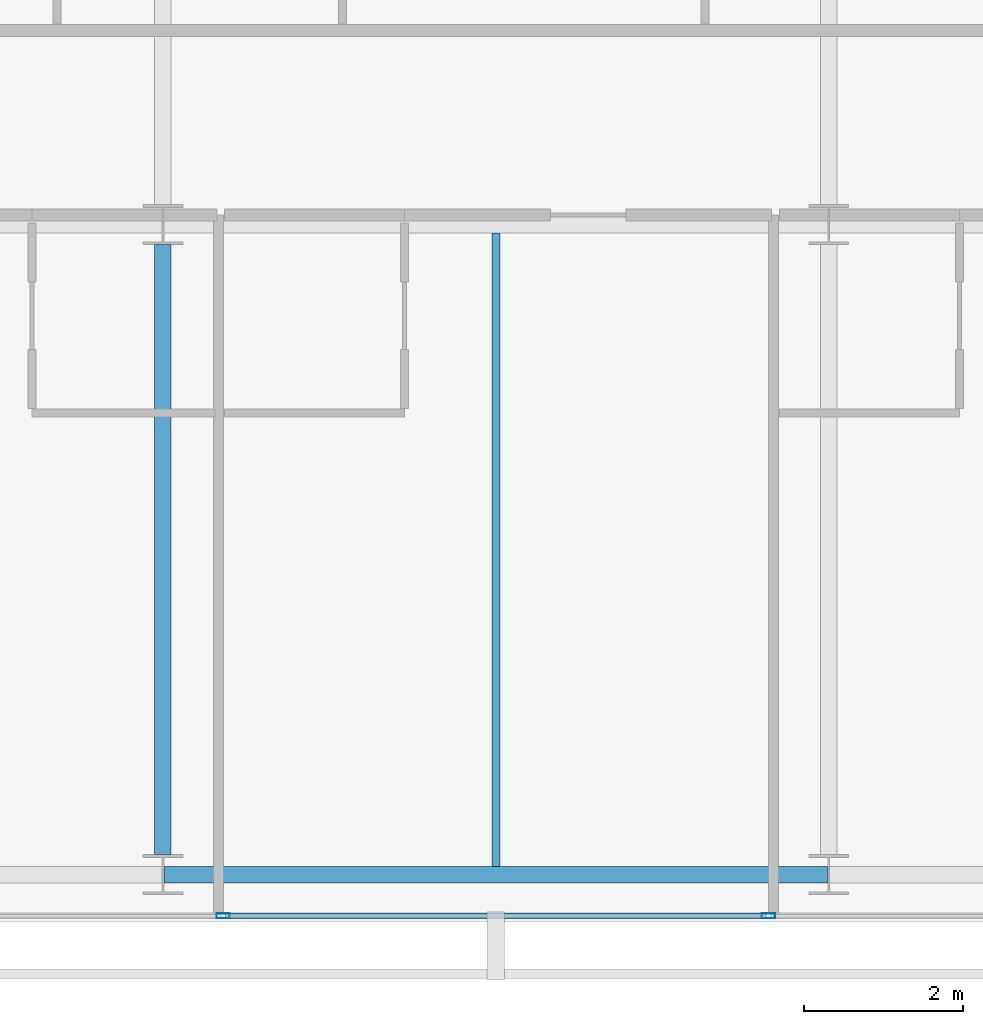
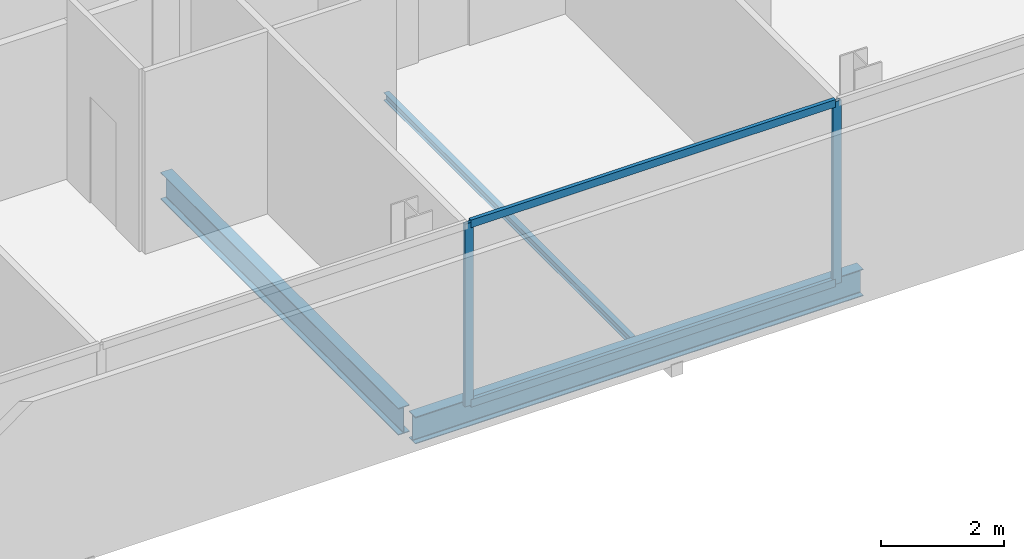
# One storey, part 6 of 25: 4 members, 3 beams, 1 element without a shape of its own.
"""IFC4 building model written with IfcOpenShell, lengths in metres."""

from ifc_helpers import new_model, si_unit, direction, frame, origin, origin_2d, place, context, subcontext, project, spatial, hollow_rectangle, i_section, extrude, material, layer, layer_set, material_profile, profile_set, type_object, element, aggregate, save


model = new_model("IFC4")

# Units and contexts
model_context = context("Model", 3, precision=1e-05, world=origin(), true_north=direction((0.0, 1.0)))
body_context = subcontext(model_context, "Body", "Model", "MODEL_VIEW")
ifc_project = project(units=[si_unit("LENGTHUNIT", "METRE"), si_unit("AREAUNIT", "SQUARE_METRE"), si_unit("VOLUMEUNIT", "CUBIC_METRE"), si_unit("PLANEANGLEUNIT", "RADIAN"), si_unit("MASSUNIT", "GRAM", prefix="KILO")], contexts=[model_context])

# Site, building, storey
site_placement = place(None, origin())
site = spatial("IfcSite", under=ifc_project, at=site_placement, CompositionType="ELEMENT")
building_placement = place(site_placement, origin())
building = spatial("IfcBuilding", under=site, at=building_placement, Name="Maruvema Waterfront Hotel and Observation Tower", CompositionType="ELEMENT")
storey_placement = place(building_placement, frame((0.0, 0.0, 262.5)))
storey = spatial("IfcBuildingStorey", under=building, at=storey_placement, Name="L64", CompositionType="ELEMENT", Elevation=262.5)

# Curtain wall, members
ifc_material_1 = material(Name="Anodised bronze aluminium and solar-control low-E IGU", Category="aluminium")
ifc_layer = layer(ifc_material_1, 0.159912109375, Name="Zone 3 Champagne Inner Thermal Curtain Wall System CW-04")
ifc_layer_set = layer_set([ifc_layer], Name="Anodised bronze aluminium and solar-control low-E IGU")
curtain_wall_type = type_object("IfcCurtainWallType", Name="Zone 3 Champagne Inner Thermal Curtain Wall System CW-04", PredefinedType="USERDEFINED", material=ifc_layer_set)
curtain_wall_placement = place(storey_placement, origin())
curtain_wall = element("IfcCurtainWall", 1, at=curtain_wall_placement, inside=storey, type_object=curtain_wall_type, Name="L64 Curtain Wall CW-L64-S", ObjectType="UNITISED CURTAIN WALL", PredefinedType="USERDEFINED")
ifc_material_2 = material(Name="Anodised architectural bronze aluminium", Category="aluminium")
ifc_material_profile_1 = material_profile(ifc_material_2, hollow_rectangle(XDim=0.070068359375, YDim=0.14990234375, WallThickness=0.00390625, at=origin_2d()), Name="ALU-T70x150")
ifc_profile_set_1 = profile_set([ifc_material_profile_1], Name="Anodised architectural bronze aluminium")
member_type_1 = type_object("IfcMemberType", Name="Curtain Wall Horizontal Transom ALU-T70x150", PredefinedType="USERDEFINED", material=ifc_profile_set_1)
member_1_placement = place(storey_placement, frame((34.389892578125, 9.280029296875, 0.030029296875), z_axis=(1.0, 0.0, 0.0), x_axis=(0.0, 1.0, 0.0)))
member_1 = element("IfcMember", 2, at=member_1_placement, type_object=member_type_1, Name="CW-04 transom 3.1", ObjectType="TRANSOM", PredefinedType="USERDEFINED", context=body_context, shape_type="SweptSolid", body=[
    extrude(hollow_rectangle(XDim=0.070068359375, YDim=0.14990234375, WallThickness=0.00390625, at=origin_2d()), origin(), (0.0, 0.0, 1.0), 6.820068359375),
])
member_2_placement = place(storey_placement, frame((34.389892578125, 9.280029296875, 3.580078125), z_axis=(1.0, 0.0, 0.0), x_axis=(0.0, 1.0, 0.0)))
member_2 = element("IfcMember", 3, at=member_2_placement, type_object=member_type_1, Name="CW-04 transom 3.2", ObjectType="TRANSOM", PredefinedType="USERDEFINED", context=body_context, shape_type="SweptSolid", body=[
    extrude(hollow_rectangle(XDim=0.070068359375, YDim=0.14990234375, WallThickness=0.00390625, at=origin_2d()), origin(), (0.0, 0.0, 1.0), 6.820068359375),
])
ifc_material_3 = material(Name="Anodised architectural bronze aluminium", Category="aluminium")
ifc_material_profile_2 = material_profile(ifc_material_3, hollow_rectangle(XDim=0.06494140625, YDim=0.1650390625, WallThickness=0.00390625, at=origin_2d()), Name="ALU-M65x165")
ifc_profile_set_2 = profile_set([ifc_material_profile_2], Name="Anodised architectural bronze aluminium")
member_type_2 = type_object("IfcMemberType", Name="Curtain Wall Primary Mullion ALU-M65x165", PredefinedType="MULLION", material=ifc_profile_set_2)
member_3_placement = place(storey_placement, frame((34.360107421875, 9.280029296875, 0.0), z_axis=(0.0, 0.0, 1.0), x_axis=(0.0, 1.0, 0.0)))
member_3 = element("IfcMember", 4, at=member_3_placement, type_object=member_type_2, Name="CW-04 mullion 3", PredefinedType="MULLION", context=body_context, shape_type="SweptSolid", body=[
    extrude(hollow_rectangle(XDim=0.06494140625, YDim=0.1650390625, WallThickness=0.00390625, at=origin_2d()), origin(), (0.0, 0.0, 1.0), 3.610107421875),
])
member_4_placement = place(storey_placement, frame((41.239990234375, 9.280029296875, 0.0), z_axis=(0.0, 0.0, 1.0), x_axis=(0.0, 1.0, 0.0)))
member_4 = element("IfcMember", 5, at=member_4_placement, type_object=member_type_2, Name="CW-04 mullion 4", PredefinedType="MULLION", context=body_context, shape_type="SweptSolid", body=[
    extrude(hollow_rectangle(XDim=0.06494140625, YDim=0.1650390625, WallThickness=0.00390625, at=origin_2d()), origin(), (0.0, 0.0, 1.0), 3.610107421875),
])
aggregate(curtain_wall, [member_3, member_4, member_1, member_2])

# Beams
ifc_material_4 = material(Name="Steel ASTM A572 Grade 50", Category="steel")
ifc_material_profile_3 = material_profile(ifc_material_4, i_section(OverallWidth=0.208984375, OverallDepth=0.532958984375, WebThickness=0.01025390625, FlangeThickness=0.015625, FilletRadius=0.014892578125, at=origin_2d()), Name="W530x92.0")
ifc_profile_set_3 = profile_set([ifc_material_profile_3], Name="Steel ASTM A572 Grade 50")
beam_type_1 = type_object("IfcBeamType", Name="Primary Floor Girder W530x92.0", PredefinedType="BEAM", material=ifc_profile_set_3)
beam_1_placement = place(storey_placement, frame((33.611083984375, 9.800048828125, -0.506591796875), z_axis=(1.0, 0.0, 0.0), x_axis=(0.0, 1.0, 0.0)))
element("IfcBeam", 6, at=beam_1_placement, inside=storey, type_object=beam_type_1, Name="L64 Floor Girder EW-02", PredefinedType="BEAM", context=body_context, shape_type="SweptSolid", body=[
    extrude(i_section(OverallWidth=0.208984375, OverallDepth=0.532958984375, WebThickness=0.01025390625, FlangeThickness=0.015625, FilletRadius=0.014892578125, at=origin_2d()), origin(), (0.0, 0.0, 1.0), 8.3779296875),
])
beam_2_placement = place(storey_placement, frame((33.60009765625, 10.050048828125, -0.506591796875), z_axis=(0.0, 1.0, 0.0), x_axis=(-1.0, 0.0, 0.0)))
element("IfcBeam", 7, at=beam_2_placement, inside=storey, type_object=beam_type_1, Name="L64 Floor Girder NS-08", PredefinedType="BEAM", context=body_context, shape_type="SweptSolid", body=[
    extrude(i_section(OverallWidth=0.208984375, OverallDepth=0.532958984375, WebThickness=0.01025390625, FlangeThickness=0.015625, FilletRadius=0.014892578125, at=origin_2d()), origin(), (0.0, 0.0, 1.0), 7.699951171875),
])
ifc_material_5 = material(Name="Steel ASTM A572 Grade 50", Category="steel")
ifc_material_profile_4 = material_profile(ifc_material_5, i_section(OverallWidth=0.10009765625, OverallDepth=0.153076171875, WebThickness=0.005859375, FlangeThickness=0.007080078125, FilletRadius=0.008056640625, at=origin_2d()), Name="W150x18.0")
ifc_profile_set_4 = profile_set([ifc_material_profile_4], Name="Steel ASTM A572 Grade 50")
beam_type_2 = type_object("IfcBeamType", Name="Secondary Floor Joist W150x18.0", PredefinedType="JOIST", material=ifc_profile_set_4)
beam_3_placement = place(storey_placement, frame((37.800048828125, 9.904541015625, -0.31640625), z_axis=(0.0, 1.0, 0.0), x_axis=(-1.0, 0.0, 0.0)))
element("IfcBeam", 8, at=beam_3_placement, inside=storey, type_object=beam_type_2, Name="L64 Secondary Floor Joist JS-05", PredefinedType="JOIST", context=body_context, shape_type="SweptSolid", body=[
    extrude(i_section(OverallWidth=0.10009765625, OverallDepth=0.153076171875, WebThickness=0.005859375, FlangeThickness=0.007080078125, FilletRadius=0.008056640625, at=origin_2d()), origin(), (0.0, 0.0, 1.0), 7.990966796875),
])

save(model, "model.ifc")
